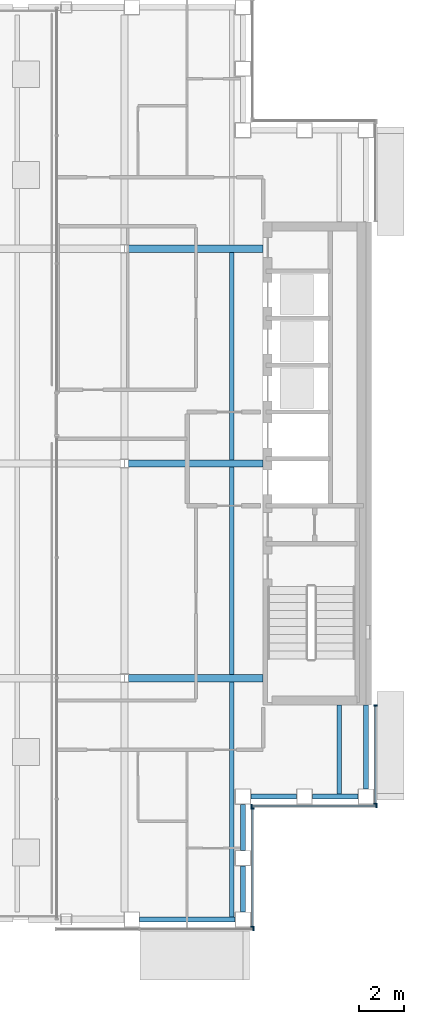
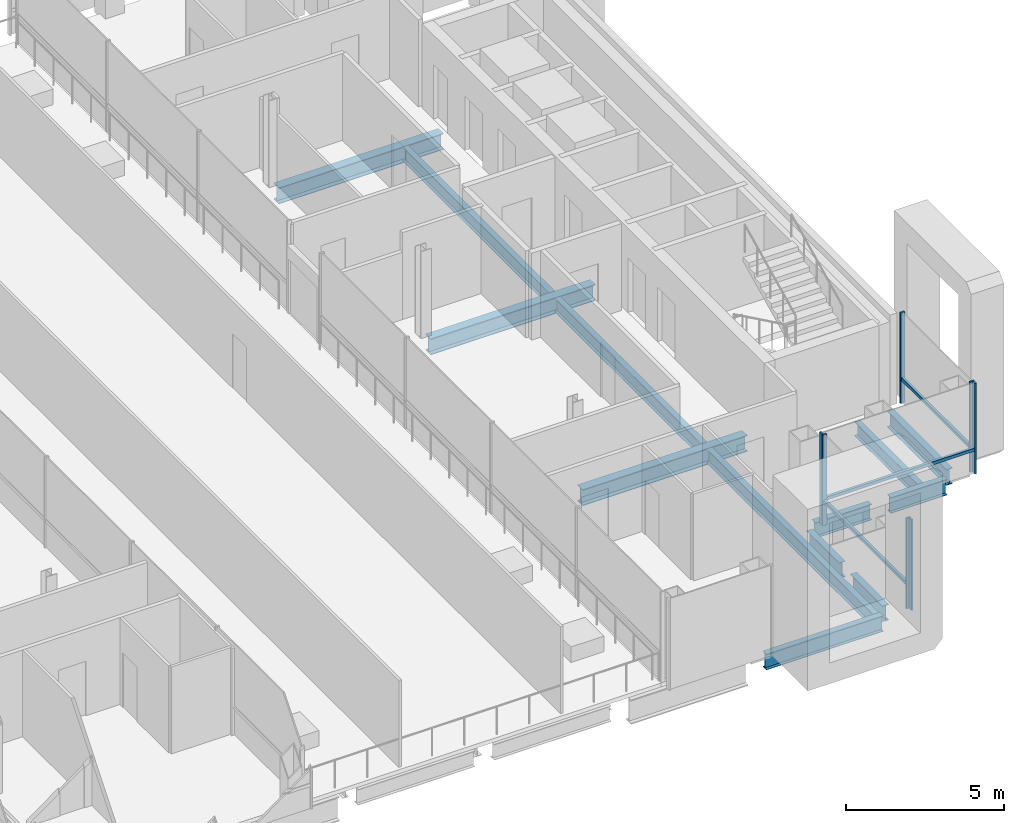
# One storey, part 6 of 17: 13 beams, 10 members, 4 elements without a shape of their own.
"""IFC4 building model written with IfcOpenShell, lengths in metres."""

from ifc_helpers import new_model, si_unit, direction, frame, origin, origin_2d, place, context, subcontext, project, spatial, rectangle, i_section, extrude, material, material_profile, profile_set, type_object, element, aggregate, save


model = new_model("IFC4")

# Units and contexts
model_context = context("Model", 3, precision=1e-05, world=origin(), true_north=direction((0.0, 1.0)))
body_context = subcontext(model_context, "Body", "Model", "MODEL_VIEW")
ifc_project = project(units=[si_unit("LENGTHUNIT", "METRE"), si_unit("AREAUNIT", "SQUARE_METRE"), si_unit("VOLUMEUNIT", "CUBIC_METRE"), si_unit("PLANEANGLEUNIT", "RADIAN"), si_unit("MASSUNIT", "GRAM", prefix="KILO")], contexts=[model_context])

# Site, building, storey
site_placement = place(None, origin())
site = spatial("IfcSite", under=ifc_project, at=site_placement, CompositionType="ELEMENT")
building_placement = place(site_placement, origin())
building = spatial("IfcBuilding", under=site, at=building_placement, Name="Cobrizo Arcos Hotel Tower", CompositionType="ELEMENT")
storey_placement = place(building_placement, frame((0.0, 0.0, 219.0)))
storey = spatial("IfcBuildingStorey", under=building, at=storey_placement, Name="L57", CompositionType="ELEMENT", Elevation=219.0)

# Curtain wall, member
ifc_material_1 = material(Name="Aluminium 6063-T6 anodised bronze", Category="aluminium")
curtain_wall_type = type_object("IfcCurtainWallType", Name="CW-A guest facade", PredefinedType="NOTDEFINED", material=ifc_material_1)
curtain_wall_1_placement = place(storey_placement, origin())
curtain_wall_1 = element("IfcCurtainWall", 1, at=curtain_wall_1_placement, inside=storey, type_object=curtain_wall_type, Name="CW-A L57 S face", PredefinedType="NOTDEFINED")
ifc_material_profile_1 = material_profile(ifc_material_1, rectangle(XDim=0.14990234375, YDim=0.06005859375, at=origin_2d()), Name="CW-A mullion 150x60")
ifc_profile_set_1 = profile_set([ifc_material_profile_1], Name="Aluminium 6063-T6 anodised bronze")
member_type_1 = type_object("IfcMemberType", Name="CW-A mullion 150x60", PredefinedType="MULLION", material=ifc_profile_set_1)
member_1_placement = place(storey_placement, frame((15.3701171875, -20.824951171875, 0.0), z_axis=(0.0, 0.0, 1.0), x_axis=(0.0, -1.0, 0.0)))
member_1 = element("IfcMember", 2, at=member_1_placement, type_object=member_type_1, Name="CW-A mullion 3", PredefinedType="MULLION", context=body_context, shape_type="SweptSolid", body=[
    extrude(rectangle(XDim=0.14990234375, YDim=0.06005859375, at=origin_2d()), origin(), (0.0, 0.0, 1.0), 3.5),
])
aggregate(curtain_wall_1, [member_1])

# Curtain wall, members
curtain_wall_2_placement = place(storey_placement, origin())
curtain_wall_2 = element("IfcCurtainWall", 3, at=curtain_wall_2_placement, inside=storey, type_object=curtain_wall_type, Name="CW-A L57 E face", PredefinedType="NOTDEFINED")
member_2_placement = place(storey_placement, frame((15.324951171875, -20.719970703125, 0.0), z_axis=(0.0, 0.0, 1.0), x_axis=(1.0, 0.0, 0.0)))
member_2 = element("IfcMember", 4, at=member_2_placement, type_object=member_type_1, Name="CW-A mullion 1", PredefinedType="MULLION", context=body_context, shape_type="SweptSolid", body=[
    extrude(rectangle(XDim=0.14990234375, YDim=0.06005859375, at=origin_2d()), origin(), (0.0, 0.0, 1.0), 3.5),
])
member_3_placement = place(storey_placement, frame((15.324951171875, -15.429931640625, 0.0), z_axis=(0.0, 0.0, 1.0), x_axis=(1.0, 0.0, 0.0)))
member_3 = element("IfcMember", 5, at=member_3_placement, type_object=member_type_1, Name="CW-A mullion 2", PredefinedType="MULLION", context=body_context, shape_type="SweptSolid", body=[
    extrude(rectangle(XDim=0.14990234375, YDim=0.06005859375, at=origin_2d()), origin(), (0.0, 0.0, 1.0), 3.5),
])

curtain_wall_3_placement = place(storey_placement, origin())
curtain_wall_3 = element("IfcCurtainWall", 6, at=curtain_wall_3_placement, inside=storey, type_object=curtain_wall_type, Name="CW-A L57 S face", PredefinedType="NOTDEFINED")
member_4_placement = place(storey_placement, frame((15.280029296875, -15.324951171875, 0.0), z_axis=(0.0, 0.0, 1.0), x_axis=(0.0, -1.0, 0.0)))
member_4 = element("IfcMember", 7, at=member_4_placement, type_object=member_type_1, Name="CW-A mullion 1", PredefinedType="MULLION", context=body_context, shape_type="SweptSolid", body=[
    extrude(rectangle(XDim=0.14990234375, YDim=0.06005859375, at=origin_2d()), origin(), (0.0, 0.0, 1.0), 3.5),
])
member_5_placement = place(storey_placement, frame((20.8701171875, -15.324951171875, 0.0), z_axis=(0.0, 0.0, 1.0), x_axis=(0.0, -1.0, 0.0)))
member_5 = element("IfcMember", 8, at=member_5_placement, type_object=member_type_1, Name="CW-A mullion 2", PredefinedType="MULLION", context=body_context, shape_type="SweptSolid", body=[
    extrude(rectangle(XDim=0.14990234375, YDim=0.06005859375, at=origin_2d()), origin(), (0.0, 0.0, 1.0), 3.5),
])

curtain_wall_4_placement = place(storey_placement, origin())
curtain_wall_4 = element("IfcCurtainWall", 9, at=curtain_wall_4_placement, inside=storey, type_object=curtain_wall_type, Name="CW-A L57 E face", PredefinedType="NOTDEFINED")
member_6_placement = place(storey_placement, frame((20.824951171875, -15.219970703125, 0.0), z_axis=(0.0, 0.0, 1.0), x_axis=(1.0, 0.0, 0.0)))
member_6 = element("IfcMember", 10, at=member_6_placement, type_object=member_type_1, Name="CW-A mullion 1", PredefinedType="MULLION", context=body_context, shape_type="SweptSolid", body=[
    extrude(rectangle(XDim=0.14990234375, YDim=0.06005859375, at=origin_2d()), origin(), (0.0, 0.0, 1.0), 3.5),
])
member_7_placement = place(storey_placement, frame((20.824951171875, -10.830078125, 0.0), z_axis=(0.0, 0.0, 1.0), x_axis=(1.0, 0.0, 0.0)))
member_7 = element("IfcMember", 11, at=member_7_placement, type_object=member_type_1, Name="CW-A mullion 2", PredefinedType="MULLION", context=body_context, shape_type="SweptSolid", body=[
    extrude(rectangle(XDim=0.14990234375, YDim=0.06005859375, at=origin_2d()), origin(), (0.0, 0.0, 1.0), 3.5),
])

# Member
ifc_material_profile_2 = material_profile(ifc_material_1, rectangle(XDim=0.10009765625, YDim=0.1201171875, at=origin_2d()), Name="CW-A transom 120x100")
ifc_profile_set_2 = profile_set([ifc_material_profile_2], Name="Aluminium 6063-T6 anodised bronze")
member_type_2 = type_object("IfcMemberType", Name="CW-A transom 120x100", PredefinedType="USERDEFINED", material=ifc_profile_set_2)
member_8_placement = place(storey_placement, frame((15.324951171875, -20.68994140625, 0.929931640625), z_axis=(0.0, 1.0, 0.0), x_axis=(-1.0, 0.0, 0.0)))
member_8 = element("IfcMember", 12, at=member_8_placement, type_object=member_type_2, Name="CW-A transom 1892", ObjectType="TRANSOM", PredefinedType="USERDEFINED", context=body_context, shape_type="SweptSolid", body=[
    extrude(rectangle(XDim=0.10009765625, YDim=0.1201171875, at=origin_2d()), origin(), (0.0, 0.0, 1.0), 5.22998046875),
])

aggregate(curtain_wall_2, [member_2, member_3, member_8])

member_9_placement = place(storey_placement, frame((15.31005859375, -15.324951171875, 0.929931640625), z_axis=(1.0, 0.0, 0.0), x_axis=(0.0, 1.0, 0.0)))
member_9 = element("IfcMember", 13, at=member_9_placement, type_object=member_type_2, Name="CW-A transom 1893", ObjectType="TRANSOM", PredefinedType="USERDEFINED", context=body_context, shape_type="SweptSolid", body=[
    extrude(rectangle(XDim=0.10009765625, YDim=0.1201171875, at=origin_2d()), origin(), (0.0, 0.0, 1.0), 5.530029296875),
])

aggregate(curtain_wall_3, [member_4, member_5, member_9])

member_10_placement = place(storey_placement, frame((20.824951171875, -15.18994140625, 0.929931640625), z_axis=(0.0, 1.0, 0.0), x_axis=(-1.0, 0.0, 0.0)))
member_10 = element("IfcMember", 14, at=member_10_placement, type_object=member_type_2, Name="CW-A transom 1894", ObjectType="TRANSOM", PredefinedType="USERDEFINED", context=body_context, shape_type="SweptSolid", body=[
    extrude(rectangle(XDim=0.10009765625, YDim=0.1201171875, at=origin_2d()), origin(), (0.0, 0.0, 1.0), 4.329833984375),
])

aggregate(curtain_wall_4, [member_6, member_7, member_10])

# Beams
ifc_material_2 = material(Name="Steel ASTM A992 Grade 50", Category="steel")
ifc_material_profile_3 = material_profile(ifc_material_2, i_section(OverallWidth=0.209228515625, OverallDepth=0.533447265625, WebThickness=0.01025390625, FlangeThickness=0.015625, at=origin_2d()), Name="W21X62")
ifc_profile_set_3 = profile_set([ifc_material_profile_3], Name="Steel ASTM A992 Grade 50")
beam_type_1 = type_object("IfcBeamType", Name="W21X62 joist", PredefinedType="JOIST", material=ifc_profile_set_3)
beam_1_placement = place(storey_placement, frame((14.39990234375, -20.31005859375, -0.416748046875), z_axis=(0.0, 1.0, 0.0), x_axis=(-1.0, 0.0, 0.0)))
element("IfcBeam", 15, at=beam_1_placement, inside=storey, type_object=beam_type_1, Name="Floor joist J1, L57, no. 015", PredefinedType="JOIST", context=body_context, shape_type="SweptSolid", body=[
    extrude(i_section(OverallWidth=0.209228515625, OverallDepth=0.533447265625, WebThickness=0.01025390625, FlangeThickness=0.015625, at=origin_2d()), origin(), (0.0, 0.0, 1.0), 10.546142578125),
])
for number, where, z_axis, x_axis, name in (
    (16, (14.39990234375, -9.43603515625, -0.416748046875), (0.0, 1.0, 0.0), (-1.0, 0.0, 0.0), "Floor joist J1, L57, no. 016"),
    (17, (14.39990234375, 0.163818359375, -0.416748046875), (0.0, 1.0, 0.0), (-1.0, 0.0, 0.0), "Floor joist J1, L57, no. 017"),
):
    element("IfcBeam", number, at=place(storey_placement, frame(where, z_axis=z_axis, x_axis=x_axis)), inside=storey, type_object=beam_type_1, Name=name, PredefinedType="JOIST", context=body_context, shape_type="SweptSolid", body=[
        extrude(i_section(OverallWidth=0.209228515625, OverallDepth=0.533447265625, WebThickness=0.01025390625, FlangeThickness=0.015625, at=origin_2d()), origin(), (0.0, 0.0, 1.0), 9.272216796875),
    ])
beam_2_placement = place(storey_placement, frame((19.199951171875, -14.81005859375, -0.416748046875), z_axis=(0.0, 1.0, 0.0), x_axis=(-1.0, 0.0, 0.0)))
element("IfcBeam", 18, at=beam_2_placement, inside=storey, type_object=beam_type_1, Name="Floor joist J1, L57, no. 019", PredefinedType="JOIST", context=body_context, shape_type="SweptSolid", body=[
    extrude(i_section(OverallWidth=0.209228515625, OverallDepth=0.533447265625, WebThickness=0.01025390625, FlangeThickness=0.015625, at=origin_2d()), origin(), (0.0, 0.0, 1.0), 4.0),
])
ifc_material_profile_4 = material_profile(ifc_material_2, i_section(OverallWidth=0.32763671875, OverallDepth=0.622314453125, WebThickness=0.015380859375, FlangeThickness=0.0244140625, at=origin_2d()), Name="W24X131")
ifc_profile_set_4 = profile_set([ifc_material_profile_4], Name="Steel ASTM A992 Grade 50")
beam_type_2 = type_object("IfcBeamType", Name="W24X131 girder", PredefinedType="BEAM", material=ifc_profile_set_4)
for number, where, z_axis, x_axis, name in (
    (19, (9.78662109375, -9.60009765625, -0.461181640625), (1.0, 0.0, 0.0), (0.0, 1.0, 0.0), "Floor girder G1, L57, no. 004"),
    (20, (9.78662109375, 0.0, -0.461181640625), (1.0, 0.0, 0.0), (0.0, 1.0, 0.0), "Floor girder G1, L57, no. 008"),
    (21, (9.78662109375, 9.60009765625, -0.461181640625), (1.0, 0.0, 0.0), (0.0, 1.0, 0.0), "Floor girder G1, L57, no. 012"),
):
    element("IfcBeam", number, at=place(storey_placement, frame(where, z_axis=z_axis, x_axis=x_axis)), inside=storey, type_object=beam_type_2, Name=name, PredefinedType="BEAM", context=body_context, shape_type="SweptSolid", body=[
        extrude(i_section(OverallWidth=0.32763671875, OverallDepth=0.622314453125, WebThickness=0.015380859375, FlangeThickness=0.0244140625, at=origin_2d()), origin(), (0.0, 0.0, 1.0), 6.00341796875),
    ])
ifc_material_profile_5 = material_profile(ifc_material_2, i_section(OverallWidth=0.228271484375, OverallDepth=0.607177734375, WebThickness=0.01123046875, FlangeThickness=0.017333984375, at=origin_2d()), Name="W24X76")
ifc_profile_set_5 = profile_set([ifc_material_profile_5], Name="Steel ASTM A992 Grade 50")
beam_type_3 = type_object("IfcBeamType", Name="W24X76 spandrel", PredefinedType="SPANDREL", material=ifc_profile_set_5)
beam_3_placement = place(storey_placement, frame((10.282958984375, -20.39990234375, -0.45361328125), z_axis=(1.0, 0.0, 0.0), x_axis=(0.0, 1.0, 0.0)))
element("IfcBeam", 22, at=beam_3_placement, inside=storey, type_object=beam_type_3, Name="Spandrel beam W24X76, L57, no. 004", PredefinedType="SPANDREL", context=body_context, shape_type="SweptSolid", body=[
    extrude(i_section(OverallWidth=0.228271484375, OverallDepth=0.607177734375, WebThickness=0.01123046875, FlangeThickness=0.017333984375, at=origin_2d()), origin(), (0.0, 0.0, 1.0), 4.26708984375),
])
for number, where, z_axis, x_axis, name in (
    (23, (14.89990234375, -20.050048828125, -0.45361328125), (0.0, 1.0, 0.0), (-1.0, 0.0, 0.0), "Spandrel beam W24X76, L57, no. 005"),
    (24, (14.89990234375, -17.300048828125, -0.45361328125), (0.0, 1.0, 0.0), (-1.0, 0.0, 0.0), "Spandrel beam W24X76, L57, no. 006"),
    (25, (15.25, -14.89990234375, -0.45361328125), (1.0, 0.0, 0.0), (0.0, 1.0, 0.0), "Spandrel beam W24X76, L57, no. 007"),
    (26, (18.0, -14.89990234375, -0.45361328125), (1.0, 0.0, 0.0), (0.0, 1.0, 0.0), "Spandrel beam W24X76, L57, no. 008"),
):
    element("IfcBeam", number, at=place(storey_placement, frame(where, z_axis=z_axis, x_axis=x_axis)), inside=storey, type_object=beam_type_3, Name=name, PredefinedType="SPANDREL", context=body_context, shape_type="SweptSolid", body=[
        extrude(i_section(OverallWidth=0.228271484375, OverallDepth=0.607177734375, WebThickness=0.01123046875, FlangeThickness=0.017333984375, at=origin_2d()), origin(), (0.0, 0.0, 1.0), 2.050048828125),
    ])
beam_4_placement = place(storey_placement, frame((20.39990234375, -14.550048828125, -0.45361328125), z_axis=(0.0, 1.0, 0.0), x_axis=(-1.0, 0.0, 0.0)))
element("IfcBeam", 27, at=beam_4_placement, inside=storey, type_object=beam_type_3, Name="Spandrel beam W24X76, L57, no. 009", PredefinedType="SPANDREL", context=body_context, shape_type="SweptSolid", body=[
    extrude(i_section(OverallWidth=0.228271484375, OverallDepth=0.607177734375, WebThickness=0.01123046875, FlangeThickness=0.017333984375, at=origin_2d()), origin(), (0.0, 0.0, 1.0), 3.739990234375),
])

save(model, "model.ifc")
